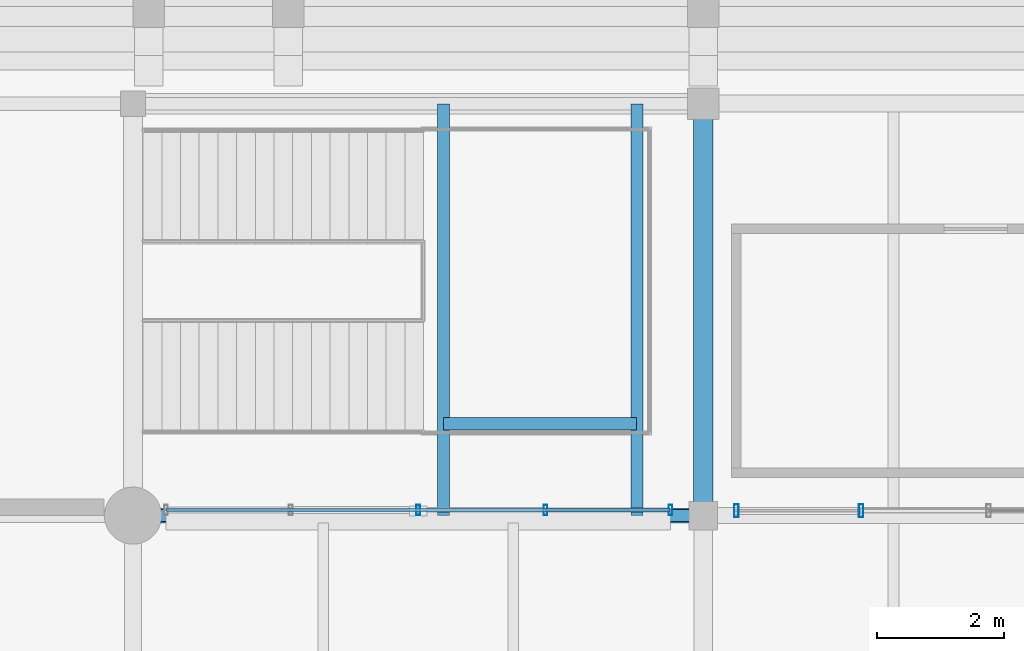
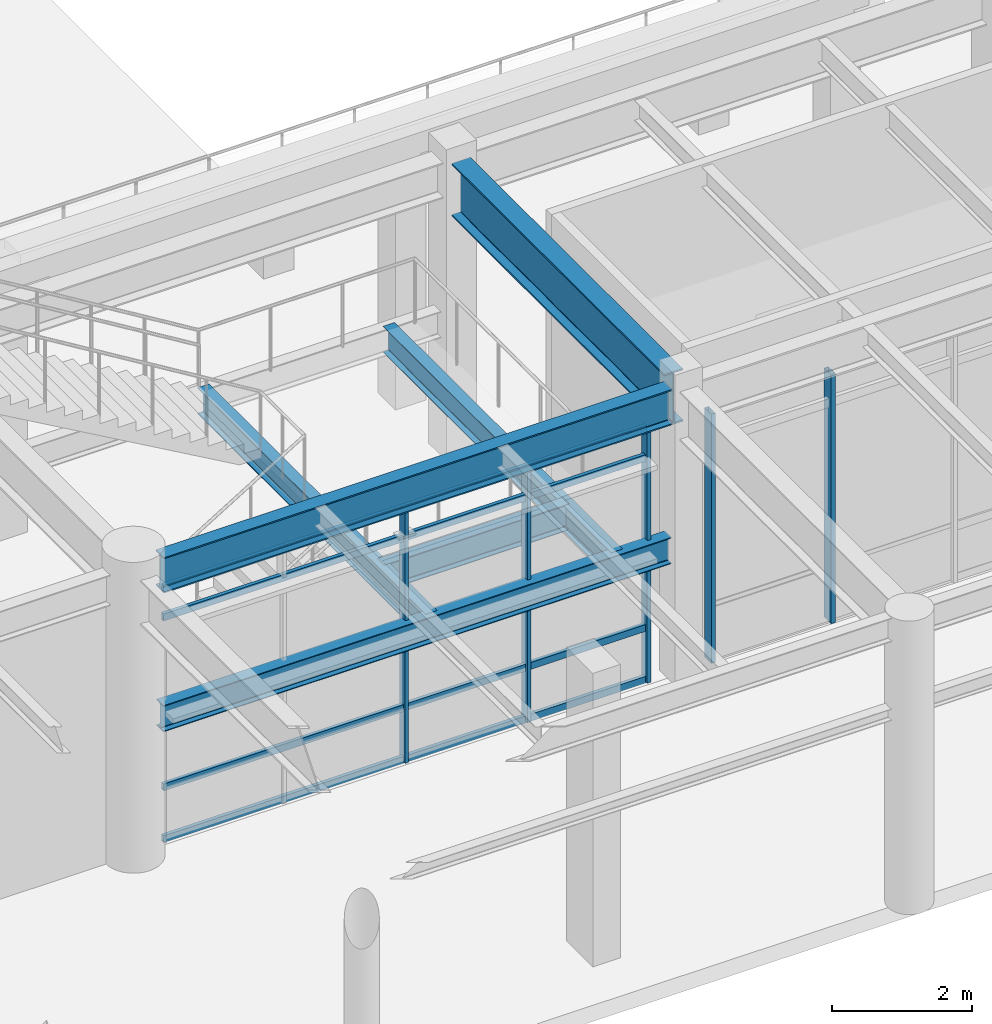
# One storey, part 55 of 203: 9 members, 6 beams, 2 elements without a shape of their own.
"""IFC4 building model written with IfcOpenShell, lengths in metres."""

from ifc_helpers import new_model, si_unit, direction, frame, origin, origin_2d, place, context, subcontext, project, spatial, hollow_rectangle, i_section, extrude, material, material_profile, profile_set, type_object, element, aggregate, save


model = new_model("IFC4")

# Units and contexts
model_context = context("Model", 3, precision=1e-05, world=origin(), true_north=direction((0.0, 1.0)))
body_context = subcontext(model_context, "Body", "Model", "MODEL_VIEW")
ifc_project = project(units=[si_unit("LENGTHUNIT", "METRE"), si_unit("AREAUNIT", "SQUARE_METRE"), si_unit("VOLUMEUNIT", "CUBIC_METRE"), si_unit("PLANEANGLEUNIT", "RADIAN"), si_unit("MASSUNIT", "GRAM", prefix="KILO"), si_unit("THERMODYNAMICTEMPERATUREUNIT", "KELVIN"), si_unit("POWERUNIT", "WATT")], contexts=[model_context])

# Site, building, storey
site_placement = place(None, origin())
site = spatial("IfcSite", under=ifc_project, at=site_placement, CompositionType="ELEMENT")
building_placement = place(site_placement, origin())
building = spatial("IfcBuilding", under=site, at=building_placement, Name="Tepalcoro Natatorium and Aquatics Centre", CompositionType="ELEMENT")
storey_placement = place(building_placement, origin())
storey = spatial("IfcBuildingStorey", under=building, at=storey_placement, Name="L00", CompositionType="ELEMENT", Elevation=0.0)

# Beams
ifc_material_1 = material(Name="Steel ASTM A992 Grade 50 (Fy 345 MPa)", Category="steel")
ifc_material_profile_1 = material_profile(ifc_material_1, i_section(OverallWidth=0.19091796875, OverallDepth=0.45703125, WebThickness=0.009033203125, FlangeThickness=0.013916015625, FilletRadius=0.013916015625, at=origin_2d()), Name="W18X50")
ifc_profile_set_1 = profile_set([ifc_material_profile_1], Name="Steel ASTM A992 Grade 50 (Fy 345 MPa)")
beam_type_1 = type_object("IfcBeamType", Name="BM_W18x50", PredefinedType="BEAM", material=ifc_profile_set_1)
beam_1_placement = place(storey_placement, frame((98.43505859375, 6.5, 2.271484375), z_axis=(1.0, 0.0, 0.0), x_axis=(0.0, 1.0, 0.0)))
element("IfcBeam", 1, at=beam_1_placement, inside=storey, type_object=beam_type_1, Name="Vomitory Stair Mid-Height Grid Header SE-S", PredefinedType="BEAM", context=body_context, shape_type="SweptSolid", body=[
    extrude(i_section(OverallWidth=0.19091796875, OverallDepth=0.45703125, WebThickness=0.009033203125, FlangeThickness=0.013916015625, FilletRadius=0.013916015625, at=origin_2d()), origin(), (0.0, 0.0, 1.0), 8.35498046875),
])
for number, where, z_axis, x_axis, name in (
    (2, (102.89990234375, 6.501953125, 2.271484375), (0.0, 1.0, 0.0), (-1.0, 0.0, 0.0), "Vomitory Half-Landing Trimmer Beam SE-W"),
    (3, (105.949951171875, 6.501953125, 2.271484375), (0.0, 1.0, 0.0), (-1.0, 0.0, 0.0), "Vomitory Half-Landing Trimmer Beam SE-E"),
):
    element("IfcBeam", number, at=place(storey_placement, frame(where, z_axis=z_axis, x_axis=x_axis)), inside=storey, type_object=beam_type_1, Name=name, PredefinedType="BEAM", context=body_context, shape_type="SweptSolid", body=[
        extrude(i_section(OverallWidth=0.19091796875, OverallDepth=0.45703125, WebThickness=0.009033203125, FlangeThickness=0.013916015625, FilletRadius=0.013916015625, at=origin_2d()), origin(), (0.0, 0.0, 1.0), 6.49609375),
    ])
beam_2_placement = place(storey_placement, frame((102.902099609375, 7.949951171875, 2.271484375), z_axis=(1.0, 0.0, 0.0), x_axis=(0.0, 1.0, 0.0)))
element("IfcBeam", 4, at=beam_2_placement, inside=storey, type_object=beam_type_1, Name="Vomitory Half-Landing Cross-Beam SE-M", PredefinedType="BEAM", context=body_context, shape_type="SweptSolid", body=[
    extrude(i_section(OverallWidth=0.19091796875, OverallDepth=0.45703125, WebThickness=0.009033203125, FlangeThickness=0.013916015625, FilletRadius=0.013916015625, at=origin_2d()), origin(), (0.0, 0.0, 1.0), 3.0458984375),
])
ifc_material_profile_2 = material_profile(ifc_material_1, i_section(OverallWidth=0.22998046875, OverallDepth=0.616943359375, WebThickness=0.012939453125, FlangeThickness=0.02197265625, FilletRadius=0.013916015625, at=origin_2d()), Name="W24X94")
ifc_profile_set_2 = profile_set([ifc_material_profile_2], Name="Steel ASTM A992 Grade 50 (Fy 345 MPa)")
beam_type_2 = type_object("IfcBeamType", Name="BM_W24x94", PredefinedType="BEAM", material=ifc_profile_set_2)
beam_3_placement = place(storey_placement, frame((98.43505859375, 6.5, 4.776611328125), z_axis=(1.0, 0.0, 0.0), x_axis=(0.0, 1.0, 0.0)))
element("IfcBeam", 5, at=beam_3_placement, inside=storey, type_object=beam_type_2, Name="V1 L00 Grid Girder X", PredefinedType="BEAM", context=body_context, shape_type="SweptSolid", body=[
    extrude(i_section(OverallWidth=0.22998046875, OverallDepth=0.616943359375, WebThickness=0.012939453125, FlangeThickness=0.02197265625, FilletRadius=0.013916015625, at=origin_2d()), origin(), (0.0, 0.0, 1.0), 8.35498046875),
])
ifc_material_profile_3 = material_profile(ifc_material_1, i_section(OverallWidth=0.304931640625, OverallDepth=0.9189453125, WebThickness=0.01708984375, FlangeThickness=0.028076171875, FilletRadius=0.013916015625, at=origin_2d()), Name="W36X170")
ifc_profile_set_3 = profile_set([ifc_material_profile_3], Name="Steel ASTM A992 Grade 50 (Fy 345 MPa)")
beam_type_3 = type_object("IfcBeamType", Name="BM_W36x170", PredefinedType="BEAM", material=ifc_profile_set_3)
beam_4_placement = place(storey_placement, frame((107.0, 6.7099609375, 4.66552734375), z_axis=(0.0, 1.0, 0.0), x_axis=(-1.0, 0.0, 0.0)))
element("IfcBeam", 6, at=beam_4_placement, inside=storey, type_object=beam_type_3, Name="V1 L00 Grid Girder Y", PredefinedType="BEAM", context=body_context, shape_type="SweptSolid", body=[
    extrude(i_section(OverallWidth=0.304931640625, OverallDepth=0.9189453125, WebThickness=0.01708984375, FlangeThickness=0.028076171875, FilletRadius=0.013916015625, at=origin_2d()), origin(), (0.0, 0.0, 1.0), 6.054931640625),
])

# Curtain wall, members
ifc_material_2 = material(Name="Bronze-Anodised Extruded Aluminium Alloy EN AW-6063 T6", Category="aluminium")
curtain_wall_type_1 = type_object("IfcCurtainWallType", Name="CW_LEAN_T1_EW", PredefinedType="USERDEFINED", material=ifc_material_2)
curtain_wall_1_placement = place(storey_placement, origin())
curtain_wall_1 = element("IfcCurtainWall", 7, at=curtain_wall_1_placement, inside=storey, type_object=curtain_wall_type_1, Name="V1 L00 S Unitised Curtain Wall Bay 7", ObjectType="FACETED SOLAR GLAZING", PredefinedType="USERDEFINED")
ifc_material_profile_4 = material_profile(ifc_material_2, hollow_rectangle(XDim=0.06005859375, YDim=0.159912109375, WallThickness=0.00390625, at=origin_2d()), Name="AL60X160X4")
ifc_profile_set_4 = profile_set([ifc_material_profile_4], Name="Bronze-Anodised Extruded Aluminium Alloy EN AW-6063 T6")
member_type_1 = type_object("IfcMemberType", Name="CW_MUL_60x160", PredefinedType="MULLION", material=ifc_profile_set_4)
member_1_placement = place(storey_placement, frame((102.5, 6.590087890625, 0.02001953125), z_axis=(0.0, 0.0, 1.0), x_axis=(1.0, 0.0, 0.0)))
member_1 = element("IfcMember", 8, at=member_1_placement, type_object=member_type_1, Name="CW_LEAN_T1_EW Curtain Wall Mullion", PredefinedType="MULLION", context=body_context, shape_type="SweptSolid", body=[
    extrude(hollow_rectangle(XDim=0.06005859375, YDim=0.159912109375, WallThickness=0.00390625, at=origin_2d()), origin(), (0.0, 0.0, 1.0), 4.4130859375),
])
member_2_placement = place(storey_placement, frame((104.510009765625, 6.590087890625, 0.02001953125), z_axis=(0.0, 0.0, 1.0), x_axis=(1.0, 0.0, 0.0)))
member_2 = element("IfcMember", 9, at=member_2_placement, type_object=member_type_1, Name="CW_LEAN_T1_EW Curtain Wall Mullion", PredefinedType="MULLION", context=body_context, shape_type="SweptSolid", body=[
    extrude(hollow_rectangle(XDim=0.06005859375, YDim=0.159912109375, WallThickness=0.00390625, at=origin_2d()), origin(), (0.0, 0.0, 1.0), 4.4130859375),
])
member_3_placement = place(storey_placement, frame((106.47998046875, 6.590087890625, 0.02001953125), z_axis=(0.0, 0.0, 1.0), x_axis=(1.0, 0.0, 0.0)))
member_3 = element("IfcMember", 10, at=member_3_placement, type_object=member_type_1, Name="CW_LEAN_T1_EW Curtain Wall Mullion", PredefinedType="MULLION", context=body_context, shape_type="SweptSolid", body=[
    extrude(hollow_rectangle(XDim=0.06005859375, YDim=0.159912109375, WallThickness=0.00390625, at=origin_2d()), origin(), (0.0, 0.0, 1.0), 4.4130859375),
])

curtain_wall_type_2 = type_object("IfcCurtainWallType", Name="CW_LEAN_T2_NS", PredefinedType="USERDEFINED", material=ifc_material_2)
curtain_wall_2_placement = place(storey_placement, origin())
curtain_wall_2 = element("IfcCurtainWall", 11, at=curtain_wall_2_placement, inside=storey, type_object=curtain_wall_type_2, Name="V1 L00 S Unitised Curtain Wall Bay 8", ObjectType="FACETED SOLAR GLAZING", PredefinedType="USERDEFINED")
ifc_material_profile_5 = material_profile(ifc_material_2, hollow_rectangle(XDim=0.070068359375, YDim=0.199951171875, WallThickness=0.0048828125, at=origin_2d()), Name="AL70X200X5")
ifc_profile_set_5 = profile_set([ifc_material_profile_5], Name="Bronze-Anodised Extruded Aluminium Alloy EN AW-6063 T6")
member_type_2 = type_object("IfcMemberType", Name="CW_MUL_70x200", PredefinedType="MULLION", material=ifc_profile_set_5)
member_4_placement = place(storey_placement, frame((107.52001953125, 6.576171875, 0.02001953125), z_axis=(0.0, 0.0, 1.0), x_axis=(1.0, 0.0, 0.0)))
member_4 = element("IfcMember", 12, at=member_4_placement, type_object=member_type_2, Name="CW_LEAN_T2_NS Curtain Wall Mullion", PredefinedType="MULLION", context=body_context, shape_type="SweptSolid", body=[
    extrude(hollow_rectangle(XDim=0.070068359375, YDim=0.199951171875, WallThickness=0.0048828125, at=origin_2d()), origin(), (0.0, 0.0, 1.0), 4.3291015625),
])
member_5_placement = place(storey_placement, frame((109.489990234375, 6.576171875, 0.02001953125), z_axis=(0.0, 0.0, 1.0), x_axis=(1.0, 0.0, 0.0)))
member_5 = element("IfcMember", 13, at=member_5_placement, type_object=member_type_2, Name="CW_LEAN_T2_NS Curtain Wall Mullion", PredefinedType="MULLION", context=body_context, shape_type="SweptSolid", body=[
    extrude(hollow_rectangle(XDim=0.070068359375, YDim=0.199951171875, WallThickness=0.0048828125, at=origin_2d()), origin(), (0.0, 0.0, 1.0), 4.3291015625),
])
aggregate(curtain_wall_2, [member_4, member_5])

# Member
ifc_material_profile_6 = material_profile(ifc_material_2, hollow_rectangle(XDim=0.06005859375, YDim=0.1201171875, WallThickness=0.00390625, at=origin_2d()), Name="AL60X120X4")
ifc_profile_set_6 = profile_set([ifc_material_profile_6], Name="Bronze-Anodised Extruded Aluminium Alloy EN AW-6063 T6")
member_type_3 = type_object("IfcMemberType", Name="CW_TRN_60x120", PredefinedType="USERDEFINED", material=ifc_profile_set_6)
member_6_placement = place(storey_placement, frame((98.530029296875, 6.590087890625, 0.050048828125), z_axis=(1.0, 0.0, 0.0), x_axis=(0.0, 1.0, 0.0)))
member_6 = element("IfcMember", 14, at=member_6_placement, type_object=member_type_3, Name="CW_LEAN_T1_EW Curtain Wall Transom", ObjectType="TRANSOM", PredefinedType="USERDEFINED", context=body_context, shape_type="SweptSolid", body=[
    extrude(hollow_rectangle(XDim=0.06005859375, YDim=0.1201171875, WallThickness=0.00390625, at=origin_2d()), origin(), (0.0, 0.0, 1.0), 7.93994140625),
])

member_7_placement = place(storey_placement, frame((98.530029296875, 6.590087890625, 0.949951171875), z_axis=(1.0, 0.0, 0.0), x_axis=(0.0, 1.0, 0.0)))
member_7 = element("IfcMember", 15, at=member_7_placement, type_object=member_type_3, Name="CW_LEAN_T1_EW Curtain Wall Transom", ObjectType="TRANSOM", PredefinedType="USERDEFINED", context=body_context, shape_type="SweptSolid", body=[
    extrude(hollow_rectangle(XDim=0.06005859375, YDim=0.1201171875, WallThickness=0.00390625, at=origin_2d()), origin(), (0.0, 0.0, 1.0), 7.93994140625),
])

member_8_placement = place(storey_placement, frame((98.530029296875, 6.590087890625, 3.903076171875), z_axis=(1.0, 0.0, 0.0), x_axis=(0.0, 1.0, 0.0)))
member_8 = element("IfcMember", 16, at=member_8_placement, type_object=member_type_3, Name="CW_LEAN_T1_EW Curtain Wall Transom", ObjectType="TRANSOM", PredefinedType="USERDEFINED", context=body_context, shape_type="SweptSolid", body=[
    extrude(hollow_rectangle(XDim=0.06005859375, YDim=0.1201171875, WallThickness=0.00390625, at=origin_2d()), origin(), (0.0, 0.0, 1.0), 7.93994140625),
])

member_9_placement = place(storey_placement, frame((98.530029296875, 6.590087890625, 4.403076171875), z_axis=(1.0, 0.0, 0.0), x_axis=(0.0, 1.0, 0.0)))
member_9 = element("IfcMember", 17, at=member_9_placement, type_object=member_type_3, Name="CW_LEAN_T1_EW Curtain Wall Transom", ObjectType="TRANSOM", PredefinedType="USERDEFINED", context=body_context, shape_type="SweptSolid", body=[
    extrude(hollow_rectangle(XDim=0.06005859375, YDim=0.1201171875, WallThickness=0.00390625, at=origin_2d()), origin(), (0.0, 0.0, 1.0), 7.93994140625),
])

aggregate(curtain_wall_1, [member_1, member_2, member_3, member_6, member_7, member_8, member_9])

save(model, "model.ifc")
